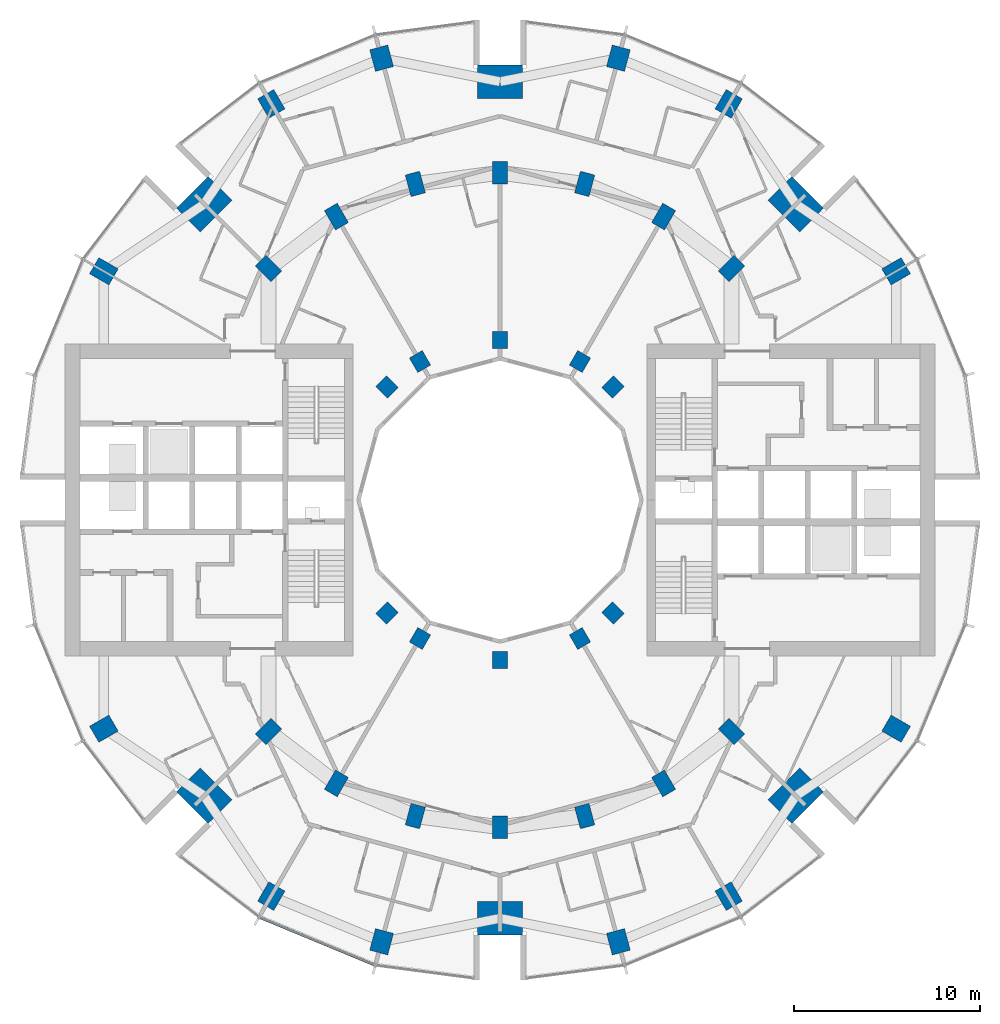
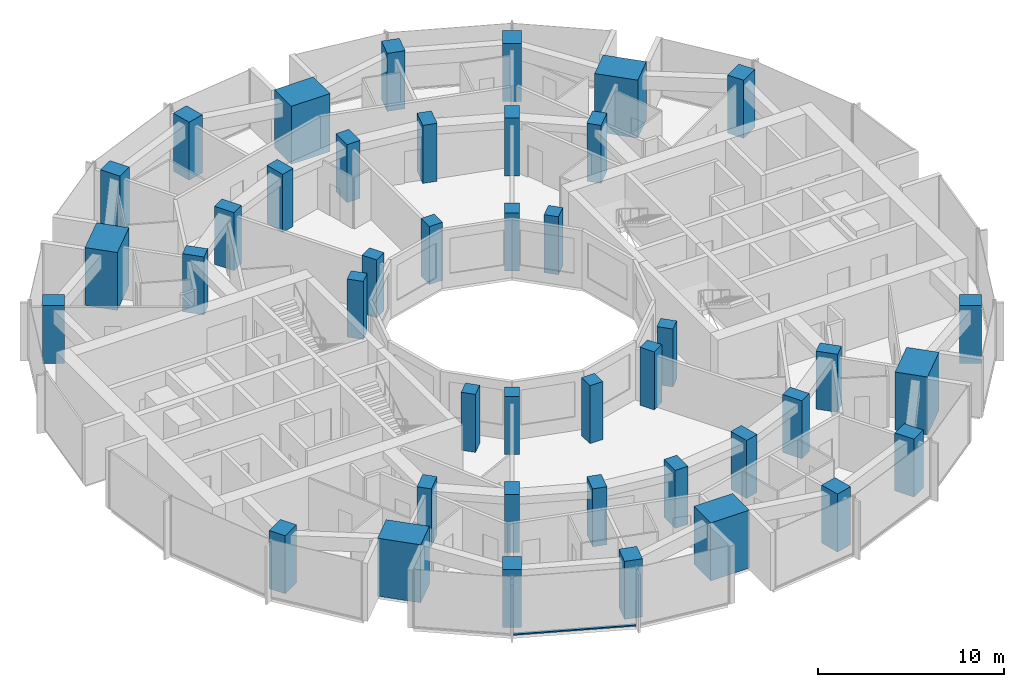
# One storey, part 1 of 15: 42 columns, 1 member, 1 element without a shape of its own.
"""IFC4 building model written with IfcOpenShell, lengths in metres."""

from ifc_helpers import new_model, si_unit, direction, frame, origin, origin_2d, place, context, subcontext, project, spatial, rectangle, extrude, material, layer, layer_set, material_profile, profile_set, type_object, element, aggregate, save


model = new_model("IFC4")

# Units and contexts
model_context = context("Model", 3, precision=1e-05, world=origin(), true_north=direction((0.0, 1.0)))
body_context = subcontext(model_context, "Body", "Model", "MODEL_VIEW")
ifc_project = project(units=[si_unit("LENGTHUNIT", "METRE"), si_unit("AREAUNIT", "SQUARE_METRE"), si_unit("VOLUMEUNIT", "CUBIC_METRE"), si_unit("PLANEANGLEUNIT", "RADIAN"), si_unit("MASSUNIT", "GRAM", prefix="KILO")], contexts=[model_context])

# Site, building, storey
site_placement = place(None, origin())
site = spatial("IfcSite", under=ifc_project, at=site_placement, CompositionType="ELEMENT")
building_placement = place(site_placement, origin())
building = spatial("IfcBuilding", under=site, at=building_placement, Name="Torre Brocal", CompositionType="ELEMENT")
storey_placement = place(building_placement, frame((0.0, 0.0, 86.199951171875)))
storey = spatial("IfcBuildingStorey", under=building, at=storey_placement, Name="L19", CompositionType="ELEMENT", Elevation=86.199951171875)

# Columns
ifc_material_1 = material(Name="Concrete C80", Category="concrete")
ifc_material_profile_1 = material_profile(ifc_material_1, rectangle(XDim=1.199951171875, YDim=1.0, at=origin_2d()), Name="RC 1200X1000")
ifc_profile_set_1 = profile_set([ifc_material_profile_1], Name="Concrete C80")
column_type_1 = type_object("IfcColumnType", Name="RC COLUMN 1200X1000 C80", PredefinedType="COLUMN", material=ifc_profile_set_1)
for number, where, z_axis, x_axis, name in (
    (1, (101.30419921875, 87.300048828125, 0.0), (0.0, 0.0, 1.0), (0.866025403784, 0.5, 0.0), "Column C-O02"),
    (2, (92.300048828125, 96.30419921875, 0.0), (0.0, 0.0, 1.0), (0.5, 0.866025403784, 0.0), "Column C-O04"),
    (3, (86.366943359375, 98.76171875, 0.0), (0.0, 0.0, 1.0), (0.258819045103, 0.965925826289, 0.0), "Column C-O05"),
    (4, (73.633056640625, 98.76171875, 0.0), (0.0, 0.0, 1.0), (-0.258819045103, 0.965925826289, 0.0), "Column C-O07"),
    (5, (67.699951171875, 96.30419921875, 0.0), (0.0, 0.0, 1.0), (-0.5, 0.866025403784, 0.0), "Column C-O08"),
    (6, (58.69580078125, 87.300048828125, 0.0), (0.0, 0.0, 1.0), (-0.866025403784, 0.5, 0.0), "Column C-O10"),
    (7, (58.69580078125, 62.699951171875, 0.0), (0.0, 0.0, 1.0), (-0.866025403784, -0.5, 0.0), "Column C-O14"),
    (8, (67.699951171875, 53.69580078125, 0.0), (0.0, 0.0, 1.0), (-0.5, -0.866025403784, 0.0), "Column C-O16"),
    (9, (73.633056640625, 51.23828125, 0.0), (0.0, 0.0, 1.0), (-0.258819045103, -0.965925826289, 0.0), "Column C-O17"),
    (10, (86.366943359375, 51.23828125, 0.0), (0.0, 0.0, 1.0), (0.258819045103, -0.965925826289, 0.0), "Column C-O19"),
    (11, (92.300048828125, 53.69580078125, 0.0), (0.0, 0.0, 1.0), (0.5, -0.866025403784, 0.0), "Column C-O20"),
    (12, (101.30419921875, 62.699951171875, 0.0), (0.0, 0.0, 1.0), (0.866025403784, -0.5, 0.0), "Column C-O22"),
):
    element("IfcColumn", number, at=place(storey_placement, frame(where, z_axis=z_axis, x_axis=x_axis)), inside=storey, type_object=column_type_1, Name=name, PredefinedType="COLUMN", context=body_context, shape_type="SweptSolid", body=[
        extrude(rectangle(XDim=1.199951171875, YDim=1.0, at=origin_2d()), origin(), (0.0, 0.0, 1.0), 3.800048828125),
    ])
ifc_material_2 = material(Name="Concrete C80", Category="concrete")
ifc_material_profile_2 = material_profile(ifc_material_2, rectangle(XDim=1.199951171875, YDim=0.800048828125, at=origin_2d()), Name="RC 1200X800")
ifc_profile_set_2 = profile_set([ifc_material_profile_2], Name="Concrete C80")
column_type_2 = type_object("IfcColumnType", Name="RC COLUMN 1200X800 C80", PredefinedType="COLUMN", material=ifc_profile_set_2)
for number, where, z_axis, x_axis, name in (
    (13, (92.445068359375, 87.445068359375, 0.0), (0.0, 0.0, 1.0), (0.707106781187, 0.707106781187, 0.0), "Column C-M03"),
    (14, (88.800048828125, 90.241943359375, 0.0), (0.0, 0.0, 1.0), (0.5, 0.866025403784, 0.0), "Column C-M04"),
    (15, (84.55517578125, 92.000244140625, 0.0), (0.0, 0.0, 1.0), (0.258819045103, 0.965925826289, 0.0), "Column C-M05"),
    (16, (80.0, 92.60009765625, 0.0), (0.0, 0.0, 1.0), (0.0, 1.0, 0.0), "Column C-M06"),
    (17, (75.44482421875, 92.000244140625, 0.0), (0.0, 0.0, 1.0), (-0.258819045103, 0.965925826289, 0.0), "Column C-M07"),
    (18, (71.199951171875, 90.241943359375, 0.0), (0.0, 0.0, 1.0), (-0.5, 0.866025403784, 0.0), "Column C-M08"),
    (19, (67.554931640625, 87.445068359375, 0.0), (0.0, 0.0, 1.0), (-0.707106781187, 0.707106781187, 0.0), "Column C-M09"),
    (20, (67.554931640625, 62.554931640625, 0.0), (0.0, 0.0, 1.0), (-0.707106781187, -0.707106781187, 0.0), "Column C-M15"),
    (21, (71.199951171875, 59.758056640625, 0.0), (0.0, 0.0, 1.0), (-0.5, -0.866025403784, 0.0), "Column C-M16"),
    (22, (75.44482421875, 57.999755859375, 0.0), (0.0, 0.0, 1.0), (-0.258819045103, -0.965925826289, 0.0), "Column C-M17"),
    (23, (80.0, 57.39990234375, 0.0), (0.0, 0.0, 1.0), (0.0, -1.0, 0.0), "Column C-M18"),
    (24, (84.55517578125, 57.999755859375, 0.0), (0.0, 0.0, 1.0), (0.258819045103, -0.965925826289, 0.0), "Column C-M19"),
    (25, (88.800048828125, 59.758056640625, 0.0), (0.0, 0.0, 1.0), (0.5, -0.866025403784, 0.0), "Column C-M20"),
    (26, (92.445068359375, 62.554931640625, 0.0), (0.0, 0.0, 1.0), (0.707106781187, -0.707106781187, 0.0), "Column C-M21"),
):
    element("IfcColumn", number, at=place(storey_placement, frame(where, z_axis=z_axis, x_axis=x_axis)), inside=storey, type_object=column_type_2, Name=name, PredefinedType="COLUMN", context=body_context, shape_type="SweptSolid", body=[
        extrude(rectangle(XDim=1.199951171875, YDim=0.800048828125, at=origin_2d()), origin(), (0.0, 0.0, 1.0), 3.800048828125),
    ])
ifc_material_3 = material(Name="Concrete C80", Category="concrete")
ifc_material_profile_3 = material_profile(ifc_material_3, rectangle(XDim=1.800048828125, YDim=2.39990234375, at=origin_2d()), Name="RC 1800X2400")
ifc_profile_set_3 = profile_set([ifc_material_profile_3], Name="Concrete C80")
column_type_3 = type_object("IfcColumnType", Name="RC COLUMN 1800X2400 C80", PredefinedType="COLUMN", material=ifc_profile_set_3)
for number, where, z_axis, x_axis, name in (
    (27, (95.909912109375, 90.909912109375, 0.0), (0.0, 0.0, 1.0), (0.707106781187, 0.707106781187, 0.0), "Column MC-1"),
    (28, (80.0, 97.5, 0.0), (0.0, 0.0, 1.0), (0.0, 1.0, 0.0), "Column MC-2"),
    (29, (64.090087890625, 90.909912109375, 0.0), (0.0, 0.0, 1.0), (-0.707106781187, 0.707106781187, 0.0), "Column MC-3"),
    (30, (64.090087890625, 59.090087890625, 0.0), (0.0, 0.0, 1.0), (-0.707106781187, -0.707106781187, 0.0), "Column MC-5"),
    (31, (80.0, 52.5, 0.0), (0.0, 0.0, 1.0), (0.0, -1.0, 0.0), "Column MC-6"),
    (32, (95.909912109375, 59.090087890625, 0.0), (0.0, 0.0, 1.0), (0.707106781187, -0.707106781187, 0.0), "Column MC-7"),
):
    element("IfcColumn", number, at=place(storey_placement, frame(where, z_axis=z_axis, x_axis=x_axis)), inside=storey, type_object=column_type_3, Name=name, PredefinedType="COLUMN", context=body_context, shape_type="SweptSolid", body=[
        extrude(rectangle(XDim=1.800048828125, YDim=2.39990234375, at=origin_2d()), origin(), (0.0, 0.0, 1.0), 3.800048828125),
    ])
ifc_material_4 = material(Name="Concrete C80", Category="concrete")
ifc_material_profile_4 = material_profile(ifc_material_4, rectangle(XDim=0.89990234375, YDim=0.800048828125, at=origin_2d()), Name="RC 900X800")
ifc_profile_set_4 = profile_set([ifc_material_profile_4], Name="Concrete C80")
column_type_4 = type_object("IfcColumnType", Name="RC COLUMN 900X800 C80", PredefinedType="COLUMN", material=ifc_profile_set_4)
for number, where, z_axis, x_axis, name in (
    (33, (86.0810546875, 81.0810546875, 0.0), (0.0, 0.0, 1.0), (0.707106781187, 0.707106781187, 0.0), "Column C-I03"),
    (34, (84.300048828125, 82.44775390625, 0.0), (0.0, 0.0, 1.0), (0.5, 0.866025403784, 0.0), "Column C-I04"),
    (35, (80.0, 83.60009765625, 0.0), (0.0, 0.0, 1.0), (0.0, 1.0, 0.0), "Column C-I06"),
    (36, (75.699951171875, 82.44775390625, 0.0), (0.0, 0.0, 1.0), (-0.5, 0.866025403784, 0.0), "Column C-I08"),
    (37, (73.9189453125, 81.0810546875, 0.0), (0.0, 0.0, 1.0), (-0.707106781187, 0.707106781187, 0.0), "Column C-I09"),
    (38, (73.9189453125, 68.9189453125, 0.0), (0.0, 0.0, 1.0), (-0.707106781187, -0.707106781187, 0.0), "Column C-I15"),
    (39, (75.699951171875, 67.55224609375, 0.0), (0.0, 0.0, 1.0), (-0.5, -0.866025403784, 0.0), "Column C-I16"),
    (40, (80.0, 66.39990234375, 0.0), (0.0, 0.0, 1.0), (0.0, -1.0, 0.0), "Column C-I18"),
    (41, (84.300048828125, 67.55224609375, 0.0), (0.0, 0.0, 1.0), (0.5, -0.866025403784, 0.0), "Column C-I20"),
    (42, (86.0810546875, 68.9189453125, 0.0), (0.0, 0.0, 1.0), (0.707106781187, -0.707106781187, 0.0), "Column C-I21"),
):
    element("IfcColumn", number, at=place(storey_placement, frame(where, z_axis=z_axis, x_axis=x_axis)), inside=storey, type_object=column_type_4, Name=name, PredefinedType="COLUMN", context=body_context, shape_type="SweptSolid", body=[
        extrude(rectangle(XDim=0.89990234375, YDim=0.800048828125, at=origin_2d()), origin(), (0.0, 0.0, 1.0), 3.800048828125),
    ])

# Curtain wall, member
ifc_material_5 = material(Name="Aluminium and glass", Category="aluminium")
ifc_layer = layer(ifc_material_5, 0.199951171875)
ifc_layer_set = layer_set([ifc_layer], Name="Aluminium and glass")
curtain_wall_type = type_object("IfcCurtainWallType", Name="CW-1 CURTAIN WALL 3800 HIGH", PredefinedType="NOTDEFINED", material=ifc_layer_set)
curtain_wall_placement = place(storey_placement, origin())
curtain_wall = element("IfcCurtainWall", 43, at=curtain_wall_placement, inside=storey, type_object=curtain_wall_type, Name="CW-1 RUN 17", PredefinedType="NOTDEFINED")
ifc_material_6 = material(Name="Aluminium, dark anodised", Category="aluminium")
ifc_material_profile_5 = material_profile(ifc_material_6, rectangle(XDim=0.159912109375, YDim=0.080078125, at=origin_2d()), Name="CW-1 TRANSOM 160X80")
ifc_profile_set_5 = profile_set([ifc_material_profile_5], Name="Aluminium, dark anodised")
member_type = type_object("IfcMemberType", Name="CW-1 TRANSOM 160X80", PredefinedType="USERDEFINED", material=ifc_profile_set_5)
member_placement = place(storey_placement, frame((67.10595703125, 52.547607421875, 0.0400390625), z_axis=(0.923887344364, -0.38266457234, 0.0), x_axis=(0.38266457234, 0.923887344364, 0.0)))
member = element("IfcMember", 44, at=member_placement, type_object=member_type, Name="CW1-1 transom 1.1", ObjectType="TRANSOM", PredefinedType="USERDEFINED", context=body_context, shape_type="SweptSolid", body=[
    extrude(rectangle(XDim=0.159912109375, YDim=0.080078125, at=origin_2d()), origin(), (0.0, 0.0, 1.0), 6.640869140625),
])
aggregate(curtain_wall, [member])

save(model, "model.ifc")
